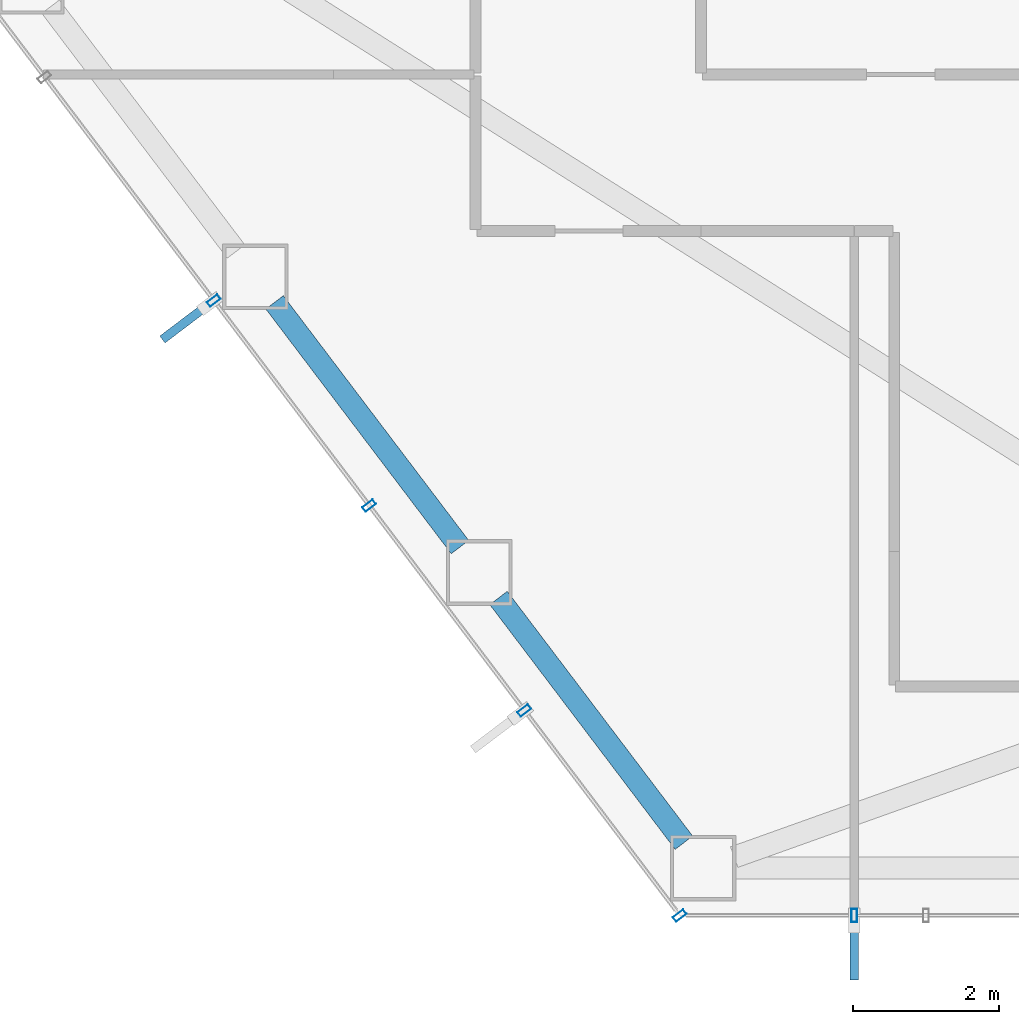
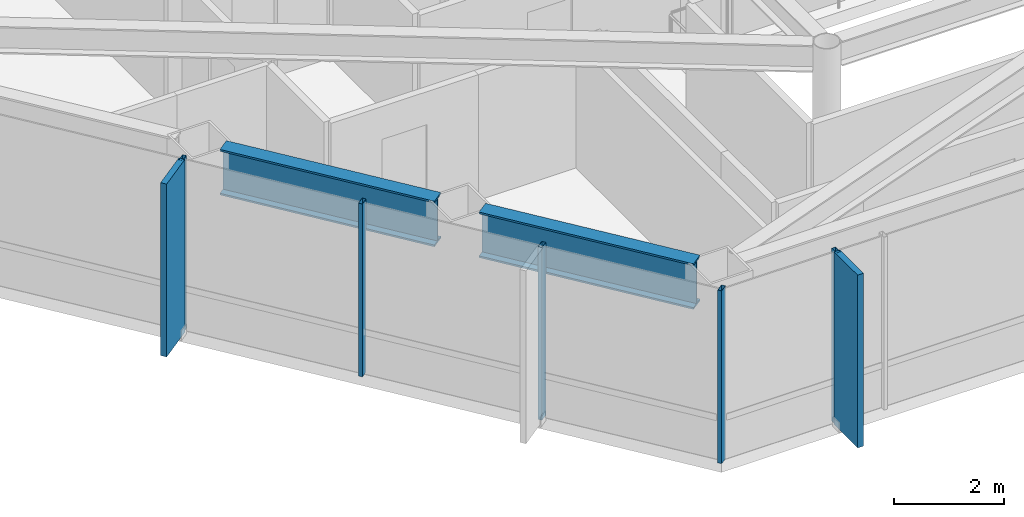
# One storey, part 2 of 24: 7 members, 2 beams, 2 elements without a shape of their own.
"""IFC4 building model written with IfcOpenShell, lengths in metres."""

from ifc_helpers import new_model, si_unit, direction, frame, origin, origin_2d, place, context, subcontext, project, spatial, rectangle, hollow_rectangle, i_section, extrude, material, layer, layer_set, material_profile, profile_set, type_object, element, aggregate, save


model = new_model("IFC4")

# Units and contexts
model_context = context("Model", 3, precision=1e-05, world=origin(), true_north=direction((0.0, 1.0)))
body_context = subcontext(model_context, "Body", "Model", "MODEL_VIEW")
ifc_project = project(units=[si_unit("LENGTHUNIT", "METRE"), si_unit("AREAUNIT", "SQUARE_METRE"), si_unit("VOLUMEUNIT", "CUBIC_METRE"), si_unit("PLANEANGLEUNIT", "RADIAN"), si_unit("MASSUNIT", "GRAM", prefix="KILO")], contexts=[model_context])

# Site, building, storey
site_placement = place(None, origin())
site = spatial("IfcSite", under=ifc_project, at=site_placement, CompositionType="ELEMENT")
building_placement = place(site_placement, origin())
building = spatial("IfcBuilding", under=site, at=building_placement, Name="Zarrinselat Tower", CompositionType="ELEMENT")
storey_placement = place(building_placement, frame((0.0, 0.0, 72.419921875)))
storey = spatial("IfcBuildingStorey", under=building, at=storey_placement, Name="L17", CompositionType="ELEMENT", Elevation=72.419921875)

# Beams
ifc_material_1 = material(Name="Steel S460M", Category="steel")
ifc_material_profile_1 = material_profile(ifc_material_1, i_section(OverallWidth=0.302001953125, OverallDepth=1.008056640625, WebThickness=0.02099609375, FlangeThickness=0.0400390625, at=origin_2d()), Name="HEM 1000")
ifc_profile_set_1 = profile_set([ifc_material_profile_1], Name="Steel S460M")
beam_type = type_object("IfcBeamType", Name="BM-HEM1000", PredefinedType="BEAM", material=ifc_profile_set_1)
beam_1_placement = place(storey_placement, frame((22.69384765625, 27.021728515625, 3.316162109375), z_axis=(0.603857687995, -0.797092148154, 0.0), x_axis=(0.797092148154, 0.603857687995, 0.0)))
element("IfcBeam", 1, at=beam_1_placement, inside=storey, type_object=beam_type, Name="L17 Perimeter Spandrel Girder SP08", PredefinedType="BEAM", context=body_context, shape_type="SweptSolid", body=[
    extrude(i_section(OverallWidth=0.302001953125, OverallDepth=1.008056640625, WebThickness=0.02099609375, FlangeThickness=0.0400390625, at=origin_2d()), origin(), (0.0, 0.0, 1.0), 4.21484375),
])
beam_2_placement = place(storey_placement, frame((25.76806640625, 22.9638671875, 3.316162109375), z_axis=(0.603829808342, -0.797113268336, 0.0), x_axis=(0.797113268336, 0.603829808342, 0.0)))
element("IfcBeam", 2, at=beam_2_placement, inside=storey, type_object=beam_type, Name="L17 Perimeter Spandrel Girder SP09", PredefinedType="BEAM", context=body_context, shape_type="SweptSolid", body=[
    extrude(i_section(OverallWidth=0.302001953125, OverallDepth=1.008056640625, WebThickness=0.02099609375, FlangeThickness=0.0400390625, at=origin_2d()), origin(), (0.0, 0.0, 1.0), 4.215087890625),
])

# Curtain wall, members
ifc_material_2 = material(Name="Extruded Aluminium Alloy EN AW-6063 T6", Category="aluminium")
ifc_layer = layer(ifc_material_2, 0.18505859375)
ifc_layer_set = layer_set([ifc_layer], Name="Extruded Aluminium Alloy EN AW-6063 T6")
curtain_wall_type = type_object("IfcCurtainWallType", Name="CWS-OFF", PredefinedType="NOTDEFINED", material=ifc_layer_set)
curtain_wall_1_placement = place(storey_placement, origin())
curtain_wall_1 = element("IfcCurtainWall", 3, at=curtain_wall_1_placement, inside=storey, type_object=curtain_wall_type, Name="L17 Unitised Curtain Wall CW-L17-E03", PredefinedType="NOTDEFINED")
ifc_material_3 = material(Name="Extruded Aluminium Alloy EN AW-6063 T6", Category="aluminium")
ifc_material_profile_2 = material_profile(ifc_material_3, hollow_rectangle(XDim=0.080078125, YDim=0.179931640625, WallThickness=0.0048828125, at=origin_2d()), Name="RHS 180x80x5")
ifc_profile_set_2 = profile_set([ifc_material_profile_2], Name="Extruded Aluminium Alloy EN AW-6063 T6")
member_type_1 = type_object("IfcMemberType", Name="MEM-CW-MUL", PredefinedType="MULLION", material=ifc_profile_set_2)
member_1_placement = place(storey_placement, frame((21.860107421875, 27.0458984375, 0.0), z_axis=(0.0, 0.0, 1.0), x_axis=(0.603854869931, -0.797094283044, 0.0)))
member_1 = element("IfcMember", 4, at=member_1_placement, type_object=member_type_1, Name="CW-L17-E03 Mullion 3", PredefinedType="MULLION", context=body_context, shape_type="SweptSolid", body=[
    extrude(hollow_rectangle(XDim=0.080078125, YDim=0.179931640625, WallThickness=0.0048828125, at=origin_2d()), origin(), (0.0, 0.0, 1.0), 3.820068359375),
])
member_2_placement = place(storey_placement, frame((23.99169921875, 24.232177734375, 0.0), z_axis=(0.0, 0.0, 1.0), x_axis=(0.603854869931, -0.797094283044, 0.0)))
member_2 = element("IfcMember", 5, at=member_2_placement, type_object=member_type_1, Name="CW-L17-E03 Mullion 4", PredefinedType="MULLION", context=body_context, shape_type="SweptSolid", body=[
    extrude(hollow_rectangle(XDim=0.080078125, YDim=0.179931640625, WallThickness=0.0048828125, at=origin_2d()), origin(), (0.0, 0.0, 1.0), 3.820068359375),
])
member_3_placement = place(storey_placement, frame((26.123291015625, 21.418701171875, 0.0), z_axis=(0.0, 0.0, 1.0), x_axis=(0.603854869931, -0.797094283044, 0.0)))
member_3 = element("IfcMember", 6, at=member_3_placement, type_object=member_type_1, Name="CW-L17-E03 Mullion 5", PredefinedType="MULLION", context=body_context, shape_type="SweptSolid", body=[
    extrude(hollow_rectangle(XDim=0.080078125, YDim=0.179931640625, WallThickness=0.0048828125, at=origin_2d()), origin(), (0.0, 0.0, 1.0), 3.820068359375),
])
member_4_placement = place(storey_placement, frame((28.2548828125, 18.60498046875, 0.0), z_axis=(0.0, 0.0, 1.0), x_axis=(0.603854869931, -0.797094283044, 0.0)))
member_4 = element("IfcMember", 7, at=member_4_placement, type_object=member_type_1, Name="CW-L17-E03 Mullion 6", PredefinedType="MULLION", context=body_context, shape_type="SweptSolid", body=[
    extrude(hollow_rectangle(XDim=0.080078125, YDim=0.179931640625, WallThickness=0.0048828125, at=origin_2d()), origin(), (0.0, 0.0, 1.0), 3.820068359375),
])

# Curtain wall, member
curtain_wall_2_placement = place(storey_placement, origin())
curtain_wall_2 = element("IfcCurtainWall", 8, at=curtain_wall_2_placement, inside=storey, type_object=curtain_wall_type, Name="L17 Unitised Curtain Wall CW-L17-E04", PredefinedType="NOTDEFINED")
member_5_placement = place(storey_placement, frame((30.64990234375, 18.60498046875, 0.0), z_axis=(0.0, 0.0, 1.0), x_axis=(1.0, 0.0, 0.0)))
member_5 = element("IfcMember", 9, at=member_5_placement, type_object=member_type_1, Name="CW-L17-E04 Mullion 1", PredefinedType="MULLION", context=body_context, shape_type="SweptSolid", body=[
    extrude(hollow_rectangle(XDim=0.080078125, YDim=0.179931640625, WallThickness=0.0048828125, at=origin_2d()), origin(), (0.0, 0.0, 1.0), 3.820068359375),
])

# Member
ifc_material_4 = material(Name="Honed Cream Travertine Stone", Category="masonry")
ifc_material_profile_3 = material_profile(ifc_material_4, rectangle(XDim=0.1201171875, YDim=0.85009765625, at=origin_2d()), Name="FIN 850x120")
ifc_profile_set_3 = profile_set([ifc_material_profile_3], Name="Honed Cream Travertine Stone")
member_type_2 = type_object("IfcMemberType", Name="MEM-STONE-FIN", PredefinedType="USERDEFINED", material=ifc_profile_set_3)
member_6_placement = place(storey_placement, frame((21.493408203125, 26.76806640625, 0.0), z_axis=(0.0, 0.0, 1.0), x_axis=(-0.603854869931, 0.797094283044, 0.0)))
member_6 = element("IfcMember", 10, at=member_6_placement, type_object=member_type_2, Name="L17 Stone Shading Fin CW-L17-E03-03", ObjectType="FIN", PredefinedType="USERDEFINED", context=body_context, shape_type="SweptSolid", body=[
    extrude(rectangle(XDim=0.1201171875, YDim=0.85009765625, at=origin_2d()), origin(), (0.0, 0.0, 1.0), 3.820068359375),
])

aggregate(curtain_wall_1, [member_1, member_6, member_2, member_3, member_4])

member_7_placement = place(storey_placement, frame((30.64990234375, 18.14501953125, 0.0), z_axis=(0.0, 0.0, 1.0), x_axis=(-1.0, 0.0, 0.0)))
member_7 = element("IfcMember", 11, at=member_7_placement, type_object=member_type_2, Name="L17 Stone Shading Fin CW-L17-E04-01", ObjectType="FIN", PredefinedType="USERDEFINED", context=body_context, shape_type="SweptSolid", body=[
    extrude(rectangle(XDim=0.1201171875, YDim=0.85009765625, at=origin_2d()), origin(), (0.0, 0.0, 1.0), 3.820068359375),
])

aggregate(curtain_wall_2, [member_5, member_7])

save(model, "model.ifc")
